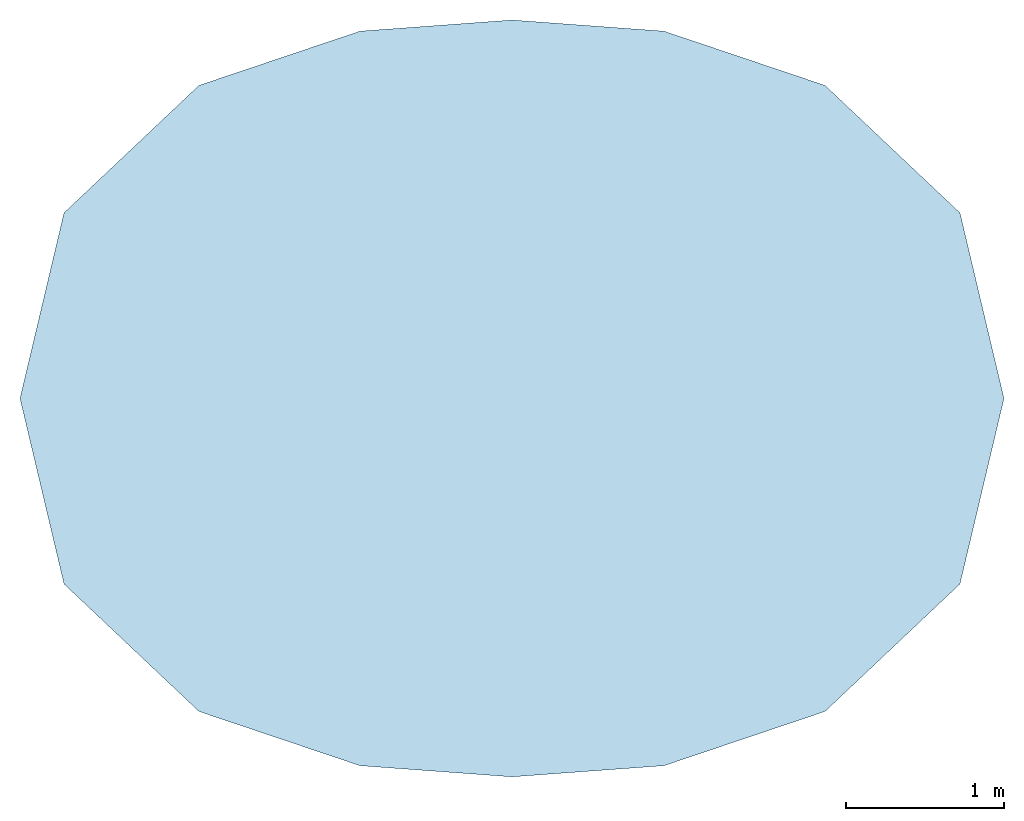
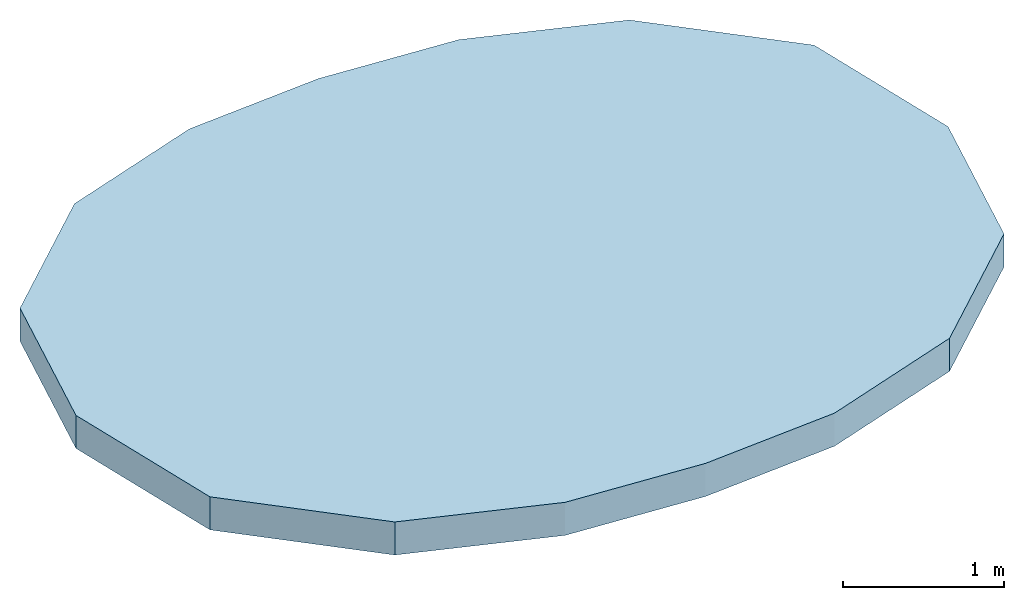
# One storey: 1 slab.
"""IFC4 building model written with IfcOpenShell, lengths in metres."""

from ifc_helpers import new_model, si_unit, direction, frame, origin, place, context, subcontext, project, spatial, polyline, outline, extrude, material, layer, layer_set, type_object, element, save


model = new_model("IFC4")

# Units and contexts
model_context = context("Model", 3, precision=1e-05, world=origin(), true_north=direction((0.0, 1.0)))
body_context = subcontext(model_context, "Body", "Model", "MODEL_VIEW")
ifc_project = project(units=[si_unit("LENGTHUNIT", "METRE"), si_unit("AREAUNIT", "SQUARE_METRE"), si_unit("VOLUMEUNIT", "CUBIC_METRE"), si_unit("PLANEANGLEUNIT", "RADIAN"), si_unit("MASSUNIT", "GRAM", prefix="KILO")], contexts=[model_context])

# Site, building, storey
site_placement = place(None, origin())
site = spatial("IfcSite", under=ifc_project, at=site_placement, CompositionType="ELEMENT")
building_placement = place(site_placement, origin())
building = spatial("IfcBuilding", under=site, at=building_placement, Name="Rubra Terraces Tower", CompositionType="ELEMENT")
storey_placement = place(building_placement, frame((0.0, 0.0, 337.199951171875)))
storey = spatial("IfcBuildingStorey", under=building, at=storey_placement, Name="ROOF", CompositionType="ELEMENT", Elevation=337.199951171875)

# Slab
ifc_material = material(Name="Concrete C40", Category="concrete")
ifc_layer = layer(ifc_material, 0.25)
ifc_layer_set = layer_set([ifc_layer], Name="Concrete C40")
slab_type = type_object("IfcSlabType", Name="ROOF SLAB 250 COMPOSITE", PredefinedType="ROOF", material=ifc_layer_set)
slab_placement = place(storey_placement, frame((0.0, 0.0, -0.25)))
element("IfcSlab", 1, at=slab_placement, inside=storey, type_object=slab_type, Name="CROWN ROOF SLAB L82", PredefinedType="ROOF", context=body_context, shape_type="SweptSolid", body=[
    extrude(outline(polyline([(3.1201171875, 0.0), (2.841064453125, 1.177001953125), (1.985107421875, 1.985107421875), (0.964111328125, 2.3291015625), (0.0, 2.39990234375), (-0.964111328125, 2.3291015625), (-1.985107421875, 1.985107421875), (-2.841064453125, 1.177001953125), (-3.1201171875, 0.0), (-2.841064453125, -1.177001953125), (-1.985107421875, -1.985107421875), (-0.964111328125, -2.3291015625), (0.0, -2.39990234375), (0.964111328125, -2.3291015625), (1.985107421875, -1.985107421875), (2.841064453125, -1.177001953125), (3.1201171875, 0.0)])), origin(), (0.0, 0.0, 1.0), 0.25),
])

save(model, "model.ifc")
